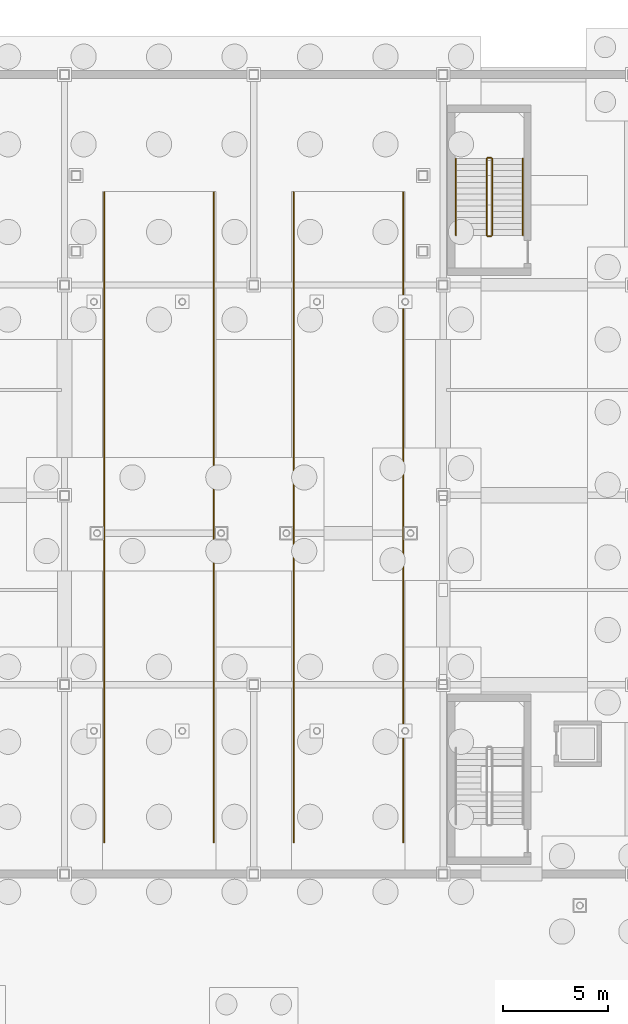
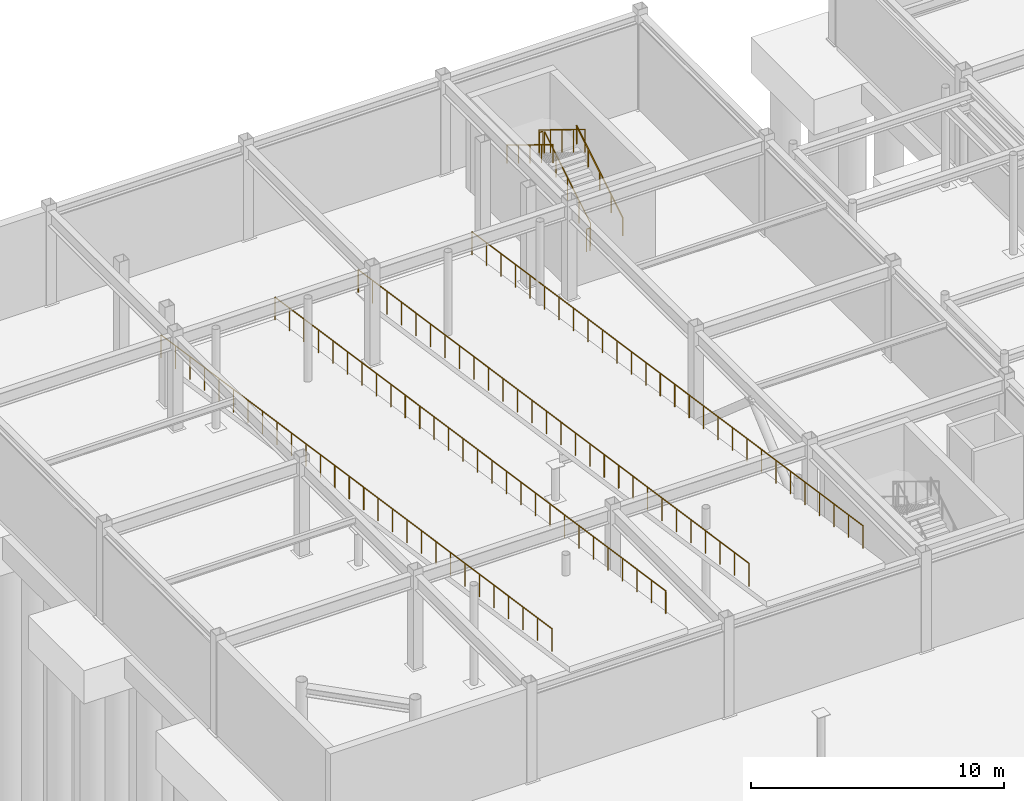
# One storey, part 65 of 74: 10 railings.
"""IFC4 building model written with IfcOpenShell, lengths in metres."""

from ifc_helpers import new_model, si_unit, direction, frame, origin, origin_2d, place, context, subcontext, project, spatial, circle, extrude, material, type_object, element, save


model = new_model("IFC4")

# Units and contexts
model_context = context("Model", 3, precision=1e-05, world=origin(), true_north=direction((0.0, 1.0)))
body_context = subcontext(model_context, "Body", "Model", "MODEL_VIEW")
ifc_project = project(units=[si_unit("LENGTHUNIT", "METRE"), si_unit("AREAUNIT", "SQUARE_METRE"), si_unit("VOLUMEUNIT", "CUBIC_METRE"), si_unit("PLANEANGLEUNIT", "RADIAN"), si_unit("MASSUNIT", "GRAM", prefix="KILO")], contexts=[model_context])

# Site, building, storey
site_placement = place(None, origin())
site = spatial("IfcSite", under=ifc_project, at=site_placement, CompositionType="ELEMENT")
building_placement = place(site_placement, origin())
building = spatial("IfcBuilding", under=site, at=building_placement, Name="Suzunagisa Mobility Hub", CompositionType="ELEMENT")
storey_placement = place(building_placement, frame((0.0, 0.0, -4.800048828125)))
storey = spatial("IfcBuildingStorey", under=building, at=storey_placement, Name="B1", CompositionType="ELEMENT", Elevation=-4.800048828125)

# Railings
ifc_material = material(Name="Stainless Steel SUS304", Category="metal")
railing_type_1 = type_object("IfcRailingType", Name="Interior Well Guardrail IGR-01", PredefinedType="GUARDRAIL", material=ifc_material)
railing_1_placement = place(storey_placement, frame((29.330078125, 110.360107421875, 0.17138671875)))
element("IfcRailing", 1, at=railing_1_placement, inside=storey, type_object=railing_type_1, Name="B1 ST-06 stair guard 1", PredefinedType="GUARDRAIL", context=body_context, shape_type="SweptSolid", body=[
    extrude(circle(Radius=0.02392578125, at=origin_2d()), frame((0.0, 0.0, 1.09619140625), z_axis=(0.0, 0.852824790078, 0.522197163366), x_axis=(-1.0, 0.0, 0.0)), (0.0, 0.0, 1.0), 4.26806640625),
    extrude(circle(Radius=0.02099609375, at=origin_2d()), origin(), (0.0, 0.0, 1.0), 1.072021484375),
    extrude(circle(Radius=0.02099609375, at=origin_2d()), frame((0.0, 0.909912109375, 0.55712890625)), (0.0, 0.0, 1.0), 1.072021484375),
    extrude(circle(Radius=0.02099609375, at=origin_2d()), frame((0.0, 1.81982421875, 1.1142578125)), (0.0, 0.0, 1.0), 1.072021484375),
    extrude(circle(Radius=0.02099609375, at=origin_2d()), frame((0.0, 2.72998046875, 1.671630859375)), (0.0, 0.0, 1.0), 1.072021484375),
    extrude(circle(Radius=0.02099609375, at=origin_2d()), frame((0.0, 3.639892578125, 2.228759765625)), (0.0, 0.0, 1.0), 1.072021484375),
])
railing_2_placement = place(storey_placement, frame((29.280029296875, 114.050048828125, 2.400146484375)))
element("IfcRailing", 2, at=railing_2_placement, inside=storey, type_object=railing_type_1, Name="B1 ST-06 stair guard 2", PredefinedType="GUARDRAIL", context=body_context, shape_type="SweptSolid", body=[
    extrude(circle(Radius=0.02392578125, at=origin_2d()), frame((0.0, 0.0, 1.09619140625), z_axis=(-1.0, 0.0, 0.0), x_axis=(0.0, -1.0, 0.0)), (0.0, 0.0, 1.0), 0.159912109375),
    extrude(circle(Radius=0.02099609375, at=origin_2d()), origin(), (0.0, 0.0, 1.0), 1.072021484375),
    extrude(circle(Radius=0.02099609375, at=origin_2d()), frame((-0.159912109375, 0.0, 0.0)), (0.0, 0.0, 1.0), 1.072021484375),
])
railing_3_placement = place(storey_placement, frame((29.070068359375, 114.0, 2.571533203125)))
element("IfcRailing", 3, at=railing_3_placement, inside=storey, type_object=railing_type_1, Name="B1 ST-06 stair guard 3", PredefinedType="GUARDRAIL", context=body_context, shape_type="SweptSolid", body=[
    extrude(circle(Radius=0.02392578125, at=origin_2d()), frame((0.0, 0.0, 1.09619140625), z_axis=(0.0, -0.852850264322, 0.5221555579), x_axis=(1.0, 0.0, 0.0)), (0.0, 0.0, 1.0), 4.267822265625),
    extrude(circle(Radius=0.02099609375, at=origin_2d()), origin(), (0.0, 0.0, 1.0), 1.072021484375),
    extrude(circle(Radius=0.02099609375, at=origin_2d()), frame((0.0, -0.909912109375, 0.55712890625)), (0.0, 0.0, 1.0), 1.072021484375),
    extrude(circle(Radius=0.02099609375, at=origin_2d()), frame((0.0, -1.81982421875, 1.1142578125)), (0.0, 0.0, 1.0), 1.072021484375),
    extrude(circle(Radius=0.02099609375, at=origin_2d()), frame((0.0, -2.72998046875, 1.67138671875)), (0.0, 0.0, 1.0), 1.072021484375),
    extrude(circle(Radius=0.02099609375, at=origin_2d()), frame((0.0, -3.639892578125, 2.228515625)), (0.0, 0.0, 1.0), 1.072021484375),
])
railing_4_placement = place(storey_placement, frame((29.280029296875, 110.31005859375, 0.0)))
element("IfcRailing", 4, at=railing_4_placement, inside=storey, type_object=railing_type_1, Name="B1 ST-06 stair guard 4", PredefinedType="GUARDRAIL", context=body_context, shape_type="SweptSolid", body=[
    extrude(circle(Radius=0.02392578125, at=origin_2d()), frame((0.0, 0.0, 1.09619140625), z_axis=(-1.0, 0.0, 0.0), x_axis=(0.0, -1.0, 0.0)), (0.0, 0.0, 1.0), 0.159912109375),
    extrude(circle(Radius=0.02099609375, at=origin_2d()), origin(), (0.0, 0.0, 1.0), 1.072021484375),
    extrude(circle(Radius=0.02099609375, at=origin_2d()), frame((-0.159912109375, 0.0, 0.0)), (0.0, 0.0, 1.0), 1.072021484375),
])
railing_5_placement = place(storey_placement, frame((10.89990234375, 112.39990234375, 0.010009765625)))
element("IfcRailing", 5, at=railing_5_placement, inside=storey, type_object=railing_type_1, Name="B1 Grade Vehicle Ramp Side Guardrail RG-11", PredefinedType="GUARDRAIL", context=body_context, shape_type="SweptSolid", body=[
    extrude(circle(Radius=0.02392578125, at=origin_2d()), frame((0.0, 0.0, 1.09619140625), z_axis=(0.0, -0.989285478309, 0.14599398072), x_axis=(1.0, 0.0, 0.0)), (0.0, 0.0, 1.0), 31.234619140625),
    extrude(circle(Radius=0.02099609375, at=origin_2d()), origin(), (0.0, 0.0, 1.0), 1.072021484375),
    extrude(circle(Radius=0.02099609375, at=origin_2d()), frame((0.0, -1.14453125, 0.1689453125)), (0.0, 0.0, 1.0), 1.072021484375),
    extrude(circle(Radius=0.02099609375, at=origin_2d()), frame((0.0, -2.288818359375, 0.337890625)), (0.0, 0.0, 1.0), 1.072021484375),
    extrude(circle(Radius=0.02099609375, at=origin_2d()), frame((0.0, -3.433349609375, 0.506591796875)), (0.0, 0.0, 1.0), 1.072021484375),
    extrude(circle(Radius=0.02099609375, at=origin_2d()), frame((0.0, -4.577880859375, 0.675537109375)), (0.0, 0.0, 1.0), 1.072021484375),
    extrude(circle(Radius=0.02099609375, at=origin_2d()), frame((0.0, -5.72216796875, 0.844482421875)), (0.0, 0.0, 1.0), 1.072021484375),
    extrude(circle(Radius=0.02099609375, at=origin_2d()), frame((0.0, -6.86669921875, 1.013427734375)), (0.0, 0.0, 1.0), 1.072021484375),
    extrude(circle(Radius=0.02099609375, at=origin_2d()), frame((0.0, -8.010986328125, 1.18212890625)), (0.0, 0.0, 1.0), 1.072021484375),
    extrude(circle(Radius=0.02099609375, at=origin_2d()), frame((0.0, -9.155517578125, 1.35107421875)), (0.0, 0.0, 1.0), 1.072021484375),
    extrude(circle(Radius=0.02099609375, at=origin_2d()), frame((0.0, -10.300048828125, 1.52001953125)), (0.0, 0.0, 1.0), 1.072021484375),
    extrude(circle(Radius=0.02099609375, at=origin_2d()), frame((0.0, -11.4443359375, 1.68896484375)), (0.0, 0.0, 1.0), 1.072021484375),
    extrude(circle(Radius=0.02099609375, at=origin_2d()), frame((0.0, -12.5888671875, 1.85791015625)), (0.0, 0.0, 1.0), 1.072021484375),
    extrude(circle(Radius=0.02099609375, at=origin_2d()), frame((0.0, -13.7333984375, 2.026611328125)), (0.0, 0.0, 1.0), 1.072021484375),
    extrude(circle(Radius=0.02099609375, at=origin_2d()), frame((0.0, -14.877685546875, 2.195556640625)), (0.0, 0.0, 1.0), 1.072021484375),
    extrude(circle(Radius=0.02099609375, at=origin_2d()), frame((0.0, -16.022216796875, 2.364501953125)), (0.0, 0.0, 1.0), 1.072021484375),
    extrude(circle(Radius=0.02099609375, at=origin_2d()), frame((0.0, -17.16650390625, 2.533447265625)), (0.0, 0.0, 1.0), 1.072021484375),
    extrude(circle(Radius=0.02099609375, at=origin_2d()), frame((0.0, -18.31103515625, 2.7021484375)), (0.0, 0.0, 1.0), 1.072021484375),
    extrude(circle(Radius=0.02099609375, at=origin_2d()), frame((0.0, -19.45556640625, 2.87109375)), (0.0, 0.0, 1.0), 1.072021484375),
    extrude(circle(Radius=0.02099609375, at=origin_2d()), frame((0.0, -20.599853515625, 3.0400390625)), (0.0, 0.0, 1.0), 1.072021484375),
    extrude(circle(Radius=0.02099609375, at=origin_2d()), frame((0.0, -21.744384765625, 3.208984375)), (0.0, 0.0, 1.0), 1.072021484375),
    extrude(circle(Radius=0.02099609375, at=origin_2d()), frame((0.0, -22.888916015625, 3.3779296875)), (0.0, 0.0, 1.0), 1.072021484375),
    extrude(circle(Radius=0.02099609375, at=origin_2d()), frame((0.0, -24.033203125, 3.546630859375)), (0.0, 0.0, 1.0), 1.072021484375),
    extrude(circle(Radius=0.02099609375, at=origin_2d()), frame((0.0, -25.177734375, 3.715576171875)), (0.0, 0.0, 1.0), 1.072021484375),
    extrude(circle(Radius=0.02099609375, at=origin_2d()), frame((0.0, -26.322021484375, 3.884521484375)), (0.0, 0.0, 1.0), 1.072021484375),
    extrude(circle(Radius=0.02099609375, at=origin_2d()), frame((0.0, -27.466552734375, 4.053466796875)), (0.0, 0.0, 1.0), 1.072021484375),
    extrude(circle(Radius=0.02099609375, at=origin_2d()), frame((0.0, -28.611083984375, 4.22216796875)), (0.0, 0.0, 1.0), 1.072021484375),
    extrude(circle(Radius=0.02099609375, at=origin_2d()), frame((0.0, -29.75537109375, 4.39111328125)), (0.0, 0.0, 1.0), 1.072021484375),
    extrude(circle(Radius=0.02099609375, at=origin_2d()), frame((0.0, -30.89990234375, 4.56005859375)), (0.0, 0.0, 1.0), 1.072021484375),
])
railing_6_placement = place(storey_placement, frame((16.10009765625, 112.39990234375, 0.010009765625)))
element("IfcRailing", 6, at=railing_6_placement, inside=storey, type_object=railing_type_1, Name="B1 Grade Vehicle Ramp Side Guardrail RG-12", PredefinedType="GUARDRAIL", context=body_context, shape_type="SweptSolid", body=[
    extrude(circle(Radius=0.02392578125, at=origin_2d()), frame((0.0, 0.0, 1.09619140625), z_axis=(0.0, -0.989285478309, 0.14599398072), x_axis=(1.0, 0.0, 0.0)), (0.0, 0.0, 1.0), 31.234619140625),
    extrude(circle(Radius=0.02099609375, at=origin_2d()), origin(), (0.0, 0.0, 1.0), 1.072021484375),
    extrude(circle(Radius=0.02099609375, at=origin_2d()), frame((0.0, -1.14453125, 0.1689453125)), (0.0, 0.0, 1.0), 1.072021484375),
    extrude(circle(Radius=0.02099609375, at=origin_2d()), frame((0.0, -2.288818359375, 0.337890625)), (0.0, 0.0, 1.0), 1.072021484375),
    extrude(circle(Radius=0.02099609375, at=origin_2d()), frame((0.0, -3.433349609375, 0.506591796875)), (0.0, 0.0, 1.0), 1.072021484375),
    extrude(circle(Radius=0.02099609375, at=origin_2d()), frame((0.0, -4.577880859375, 0.675537109375)), (0.0, 0.0, 1.0), 1.072021484375),
    extrude(circle(Radius=0.02099609375, at=origin_2d()), frame((0.0, -5.72216796875, 0.844482421875)), (0.0, 0.0, 1.0), 1.072021484375),
    extrude(circle(Radius=0.02099609375, at=origin_2d()), frame((0.0, -6.86669921875, 1.013427734375)), (0.0, 0.0, 1.0), 1.072021484375),
    extrude(circle(Radius=0.02099609375, at=origin_2d()), frame((0.0, -8.010986328125, 1.18212890625)), (0.0, 0.0, 1.0), 1.072021484375),
    extrude(circle(Radius=0.02099609375, at=origin_2d()), frame((0.0, -9.155517578125, 1.35107421875)), (0.0, 0.0, 1.0), 1.072021484375),
    extrude(circle(Radius=0.02099609375, at=origin_2d()), frame((0.0, -10.300048828125, 1.52001953125)), (0.0, 0.0, 1.0), 1.072021484375),
    extrude(circle(Radius=0.02099609375, at=origin_2d()), frame((0.0, -11.4443359375, 1.68896484375)), (0.0, 0.0, 1.0), 1.072021484375),
    extrude(circle(Radius=0.02099609375, at=origin_2d()), frame((0.0, -12.5888671875, 1.85791015625)), (0.0, 0.0, 1.0), 1.072021484375),
    extrude(circle(Radius=0.02099609375, at=origin_2d()), frame((0.0, -13.7333984375, 2.026611328125)), (0.0, 0.0, 1.0), 1.072021484375),
    extrude(circle(Radius=0.02099609375, at=origin_2d()), frame((0.0, -14.877685546875, 2.195556640625)), (0.0, 0.0, 1.0), 1.072021484375),
    extrude(circle(Radius=0.02099609375, at=origin_2d()), frame((0.0, -16.022216796875, 2.364501953125)), (0.0, 0.0, 1.0), 1.072021484375),
    extrude(circle(Radius=0.02099609375, at=origin_2d()), frame((0.0, -17.16650390625, 2.533447265625)), (0.0, 0.0, 1.0), 1.072021484375),
    extrude(circle(Radius=0.02099609375, at=origin_2d()), frame((0.0, -18.31103515625, 2.7021484375)), (0.0, 0.0, 1.0), 1.072021484375),
    extrude(circle(Radius=0.02099609375, at=origin_2d()), frame((0.0, -19.45556640625, 2.87109375)), (0.0, 0.0, 1.0), 1.072021484375),
    extrude(circle(Radius=0.02099609375, at=origin_2d()), frame((0.0, -20.599853515625, 3.0400390625)), (0.0, 0.0, 1.0), 1.072021484375),
    extrude(circle(Radius=0.02099609375, at=origin_2d()), frame((0.0, -21.744384765625, 3.208984375)), (0.0, 0.0, 1.0), 1.072021484375),
    extrude(circle(Radius=0.02099609375, at=origin_2d()), frame((0.0, -22.888916015625, 3.3779296875)), (0.0, 0.0, 1.0), 1.072021484375),
    extrude(circle(Radius=0.02099609375, at=origin_2d()), frame((0.0, -24.033203125, 3.546630859375)), (0.0, 0.0, 1.0), 1.072021484375),
    extrude(circle(Radius=0.02099609375, at=origin_2d()), frame((0.0, -25.177734375, 3.715576171875)), (0.0, 0.0, 1.0), 1.072021484375),
    extrude(circle(Radius=0.02099609375, at=origin_2d()), frame((0.0, -26.322021484375, 3.884521484375)), (0.0, 0.0, 1.0), 1.072021484375),
    extrude(circle(Radius=0.02099609375, at=origin_2d()), frame((0.0, -27.466552734375, 4.053466796875)), (0.0, 0.0, 1.0), 1.072021484375),
    extrude(circle(Radius=0.02099609375, at=origin_2d()), frame((0.0, -28.611083984375, 4.22216796875)), (0.0, 0.0, 1.0), 1.072021484375),
    extrude(circle(Radius=0.02099609375, at=origin_2d()), frame((0.0, -29.75537109375, 4.39111328125)), (0.0, 0.0, 1.0), 1.072021484375),
    extrude(circle(Radius=0.02099609375, at=origin_2d()), frame((0.0, -30.89990234375, 4.56005859375)), (0.0, 0.0, 1.0), 1.072021484375),
])
railing_7_placement = place(storey_placement, frame((19.89990234375, 112.39990234375, 0.010009765625)))
element("IfcRailing", 7, at=railing_7_placement, inside=storey, type_object=railing_type_1, Name="B1 Grade Vehicle Ramp Side Guardrail RG-14", PredefinedType="GUARDRAIL", context=body_context, shape_type="SweptSolid", body=[
    extrude(circle(Radius=0.02392578125, at=origin_2d()), frame((0.0, 0.0, 1.09619140625), z_axis=(0.0, -0.989285478309, 0.14599398072), x_axis=(1.0, 0.0, 0.0)), (0.0, 0.0, 1.0), 31.234619140625),
    extrude(circle(Radius=0.02099609375, at=origin_2d()), origin(), (0.0, 0.0, 1.0), 1.072021484375),
    extrude(circle(Radius=0.02099609375, at=origin_2d()), frame((0.0, -1.14453125, 0.1689453125)), (0.0, 0.0, 1.0), 1.072021484375),
    extrude(circle(Radius=0.02099609375, at=origin_2d()), frame((0.0, -2.288818359375, 0.337890625)), (0.0, 0.0, 1.0), 1.072021484375),
    extrude(circle(Radius=0.02099609375, at=origin_2d()), frame((0.0, -3.433349609375, 0.506591796875)), (0.0, 0.0, 1.0), 1.072021484375),
    extrude(circle(Radius=0.02099609375, at=origin_2d()), frame((0.0, -4.577880859375, 0.675537109375)), (0.0, 0.0, 1.0), 1.072021484375),
    extrude(circle(Radius=0.02099609375, at=origin_2d()), frame((0.0, -5.72216796875, 0.844482421875)), (0.0, 0.0, 1.0), 1.072021484375),
    extrude(circle(Radius=0.02099609375, at=origin_2d()), frame((0.0, -6.86669921875, 1.013427734375)), (0.0, 0.0, 1.0), 1.072021484375),
    extrude(circle(Radius=0.02099609375, at=origin_2d()), frame((0.0, -8.010986328125, 1.18212890625)), (0.0, 0.0, 1.0), 1.072021484375),
    extrude(circle(Radius=0.02099609375, at=origin_2d()), frame((0.0, -9.155517578125, 1.35107421875)), (0.0, 0.0, 1.0), 1.072021484375),
    extrude(circle(Radius=0.02099609375, at=origin_2d()), frame((0.0, -10.300048828125, 1.52001953125)), (0.0, 0.0, 1.0), 1.072021484375),
    extrude(circle(Radius=0.02099609375, at=origin_2d()), frame((0.0, -11.4443359375, 1.68896484375)), (0.0, 0.0, 1.0), 1.072021484375),
    extrude(circle(Radius=0.02099609375, at=origin_2d()), frame((0.0, -12.5888671875, 1.85791015625)), (0.0, 0.0, 1.0), 1.072021484375),
    extrude(circle(Radius=0.02099609375, at=origin_2d()), frame((0.0, -13.7333984375, 2.026611328125)), (0.0, 0.0, 1.0), 1.072021484375),
    extrude(circle(Radius=0.02099609375, at=origin_2d()), frame((0.0, -14.877685546875, 2.195556640625)), (0.0, 0.0, 1.0), 1.072021484375),
    extrude(circle(Radius=0.02099609375, at=origin_2d()), frame((0.0, -16.022216796875, 2.364501953125)), (0.0, 0.0, 1.0), 1.072021484375),
    extrude(circle(Radius=0.02099609375, at=origin_2d()), frame((0.0, -17.16650390625, 2.533447265625)), (0.0, 0.0, 1.0), 1.072021484375),
    extrude(circle(Radius=0.02099609375, at=origin_2d()), frame((0.0, -18.31103515625, 2.7021484375)), (0.0, 0.0, 1.0), 1.072021484375),
    extrude(circle(Radius=0.02099609375, at=origin_2d()), frame((0.0, -19.45556640625, 2.87109375)), (0.0, 0.0, 1.0), 1.072021484375),
    extrude(circle(Radius=0.02099609375, at=origin_2d()), frame((0.0, -20.599853515625, 3.0400390625)), (0.0, 0.0, 1.0), 1.072021484375),
    extrude(circle(Radius=0.02099609375, at=origin_2d()), frame((0.0, -21.744384765625, 3.208984375)), (0.0, 0.0, 1.0), 1.072021484375),
    extrude(circle(Radius=0.02099609375, at=origin_2d()), frame((0.0, -22.888916015625, 3.3779296875)), (0.0, 0.0, 1.0), 1.072021484375),
    extrude(circle(Radius=0.02099609375, at=origin_2d()), frame((0.0, -24.033203125, 3.546630859375)), (0.0, 0.0, 1.0), 1.072021484375),
    extrude(circle(Radius=0.02099609375, at=origin_2d()), frame((0.0, -25.177734375, 3.715576171875)), (0.0, 0.0, 1.0), 1.072021484375),
    extrude(circle(Radius=0.02099609375, at=origin_2d()), frame((0.0, -26.322021484375, 3.884521484375)), (0.0, 0.0, 1.0), 1.072021484375),
    extrude(circle(Radius=0.02099609375, at=origin_2d()), frame((0.0, -27.466552734375, 4.053466796875)), (0.0, 0.0, 1.0), 1.072021484375),
    extrude(circle(Radius=0.02099609375, at=origin_2d()), frame((0.0, -28.611083984375, 4.22216796875)), (0.0, 0.0, 1.0), 1.072021484375),
    extrude(circle(Radius=0.02099609375, at=origin_2d()), frame((0.0, -29.75537109375, 4.39111328125)), (0.0, 0.0, 1.0), 1.072021484375),
    extrude(circle(Radius=0.02099609375, at=origin_2d()), frame((0.0, -30.89990234375, 4.56005859375)), (0.0, 0.0, 1.0), 1.072021484375),
])
railing_8_placement = place(storey_placement, frame((25.10009765625, 112.39990234375, 0.010009765625)))
element("IfcRailing", 8, at=railing_8_placement, inside=storey, type_object=railing_type_1, Name="B1 Grade Vehicle Ramp Side Guardrail RG-15", PredefinedType="GUARDRAIL", context=body_context, shape_type="SweptSolid", body=[
    extrude(circle(Radius=0.02392578125, at=origin_2d()), frame((0.0, 0.0, 1.09619140625), z_axis=(0.0, -0.989285478309, 0.14599398072), x_axis=(1.0, 0.0, 0.0)), (0.0, 0.0, 1.0), 31.234619140625),
    extrude(circle(Radius=0.02099609375, at=origin_2d()), origin(), (0.0, 0.0, 1.0), 1.072021484375),
    extrude(circle(Radius=0.02099609375, at=origin_2d()), frame((0.0, -1.14453125, 0.1689453125)), (0.0, 0.0, 1.0), 1.072021484375),
    extrude(circle(Radius=0.02099609375, at=origin_2d()), frame((0.0, -2.288818359375, 0.337890625)), (0.0, 0.0, 1.0), 1.072021484375),
    extrude(circle(Radius=0.02099609375, at=origin_2d()), frame((0.0, -3.433349609375, 0.506591796875)), (0.0, 0.0, 1.0), 1.072021484375),
    extrude(circle(Radius=0.02099609375, at=origin_2d()), frame((0.0, -4.577880859375, 0.675537109375)), (0.0, 0.0, 1.0), 1.072021484375),
    extrude(circle(Radius=0.02099609375, at=origin_2d()), frame((0.0, -5.72216796875, 0.844482421875)), (0.0, 0.0, 1.0), 1.072021484375),
    extrude(circle(Radius=0.02099609375, at=origin_2d()), frame((0.0, -6.86669921875, 1.013427734375)), (0.0, 0.0, 1.0), 1.072021484375),
    extrude(circle(Radius=0.02099609375, at=origin_2d()), frame((0.0, -8.010986328125, 1.18212890625)), (0.0, 0.0, 1.0), 1.072021484375),
    extrude(circle(Radius=0.02099609375, at=origin_2d()), frame((0.0, -9.155517578125, 1.35107421875)), (0.0, 0.0, 1.0), 1.072021484375),
    extrude(circle(Radius=0.02099609375, at=origin_2d()), frame((0.0, -10.300048828125, 1.52001953125)), (0.0, 0.0, 1.0), 1.072021484375),
    extrude(circle(Radius=0.02099609375, at=origin_2d()), frame((0.0, -11.4443359375, 1.68896484375)), (0.0, 0.0, 1.0), 1.072021484375),
    extrude(circle(Radius=0.02099609375, at=origin_2d()), frame((0.0, -12.5888671875, 1.85791015625)), (0.0, 0.0, 1.0), 1.072021484375),
    extrude(circle(Radius=0.02099609375, at=origin_2d()), frame((0.0, -13.7333984375, 2.026611328125)), (0.0, 0.0, 1.0), 1.072021484375),
    extrude(circle(Radius=0.02099609375, at=origin_2d()), frame((0.0, -14.877685546875, 2.195556640625)), (0.0, 0.0, 1.0), 1.072021484375),
    extrude(circle(Radius=0.02099609375, at=origin_2d()), frame((0.0, -16.022216796875, 2.364501953125)), (0.0, 0.0, 1.0), 1.072021484375),
    extrude(circle(Radius=0.02099609375, at=origin_2d()), frame((0.0, -17.16650390625, 2.533447265625)), (0.0, 0.0, 1.0), 1.072021484375),
    extrude(circle(Radius=0.02099609375, at=origin_2d()), frame((0.0, -18.31103515625, 2.7021484375)), (0.0, 0.0, 1.0), 1.072021484375),
    extrude(circle(Radius=0.02099609375, at=origin_2d()), frame((0.0, -19.45556640625, 2.87109375)), (0.0, 0.0, 1.0), 1.072021484375),
    extrude(circle(Radius=0.02099609375, at=origin_2d()), frame((0.0, -20.599853515625, 3.0400390625)), (0.0, 0.0, 1.0), 1.072021484375),
    extrude(circle(Radius=0.02099609375, at=origin_2d()), frame((0.0, -21.744384765625, 3.208984375)), (0.0, 0.0, 1.0), 1.072021484375),
    extrude(circle(Radius=0.02099609375, at=origin_2d()), frame((0.0, -22.888916015625, 3.3779296875)), (0.0, 0.0, 1.0), 1.072021484375),
    extrude(circle(Radius=0.02099609375, at=origin_2d()), frame((0.0, -24.033203125, 3.546630859375)), (0.0, 0.0, 1.0), 1.072021484375),
    extrude(circle(Radius=0.02099609375, at=origin_2d()), frame((0.0, -25.177734375, 3.715576171875)), (0.0, 0.0, 1.0), 1.072021484375),
    extrude(circle(Radius=0.02099609375, at=origin_2d()), frame((0.0, -26.322021484375, 3.884521484375)), (0.0, 0.0, 1.0), 1.072021484375),
    extrude(circle(Radius=0.02099609375, at=origin_2d()), frame((0.0, -27.466552734375, 4.053466796875)), (0.0, 0.0, 1.0), 1.072021484375),
    extrude(circle(Radius=0.02099609375, at=origin_2d()), frame((0.0, -28.611083984375, 4.22216796875)), (0.0, 0.0, 1.0), 1.072021484375),
    extrude(circle(Radius=0.02099609375, at=origin_2d()), frame((0.0, -29.75537109375, 4.39111328125)), (0.0, 0.0, 1.0), 1.072021484375),
    extrude(circle(Radius=0.02099609375, at=origin_2d()), frame((0.0, -30.89990234375, 4.56005859375)), (0.0, 0.0, 1.0), 1.072021484375),
])
railing_type_2 = type_object("IfcRailingType", Name="Tubular Stainless Stair Handrail IHR-01", PredefinedType="HANDRAIL", material=ifc_material)
railing_9_placement = place(storey_placement, frame((30.7900390625, 110.360107421875, 0.17138671875)))
element("IfcRailing", 9, at=railing_9_placement, inside=storey, type_object=railing_type_2, Name="B1 ST-06 stair handrail 1", PredefinedType="HANDRAIL", context=body_context, shape_type="SweptSolid", body=[
    extrude(circle(Radius=0.02392578125, at=origin_2d()), frame((0.0, 0.0, 0.8759765625), z_axis=(0.0, 0.852824790078, 0.522197163366), x_axis=(-1.0, 0.0, 0.0)), (0.0, 0.0, 1.0), 4.26806640625),
    extrude(circle(Radius=0.02099609375, at=origin_2d()), origin(), (0.0, 0.0, 1.0), 0.851806640625),
    extrude(circle(Radius=0.02099609375, at=origin_2d()), frame((0.0, 0.909912109375, 0.55712890625)), (0.0, 0.0, 1.0), 0.851806640625),
    extrude(circle(Radius=0.02099609375, at=origin_2d()), frame((0.0, 1.81982421875, 1.1142578125)), (0.0, 0.0, 1.0), 0.851806640625),
    extrude(circle(Radius=0.02099609375, at=origin_2d()), frame((0.0, 2.72998046875, 1.671630859375)), (0.0, 0.0, 1.0), 0.851806640625),
    extrude(circle(Radius=0.02099609375, at=origin_2d()), frame((0.0, 3.639892578125, 2.228759765625)), (0.0, 0.0, 1.0), 0.851806640625),
])
railing_10_placement = place(storey_placement, frame((27.610107421875, 114.0, 2.571533203125)))
element("IfcRailing", 10, at=railing_10_placement, inside=storey, type_object=railing_type_2, Name="B1 ST-06 stair handrail 2", PredefinedType="HANDRAIL", context=body_context, shape_type="SweptSolid", body=[
    extrude(circle(Radius=0.02392578125, at=origin_2d()), frame((0.0, 0.0, 0.8759765625), z_axis=(0.0, -0.852850264322, 0.5221555579), x_axis=(1.0, 0.0, 0.0)), (0.0, 0.0, 1.0), 4.267822265625),
    extrude(circle(Radius=0.02099609375, at=origin_2d()), origin(), (0.0, 0.0, 1.0), 0.851806640625),
    extrude(circle(Radius=0.02099609375, at=origin_2d()), frame((0.0, -0.909912109375, 0.55712890625)), (0.0, 0.0, 1.0), 0.851806640625),
    extrude(circle(Radius=0.02099609375, at=origin_2d()), frame((0.0, -1.81982421875, 1.1142578125)), (0.0, 0.0, 1.0), 0.851806640625),
    extrude(circle(Radius=0.02099609375, at=origin_2d()), frame((0.0, -2.72998046875, 1.67138671875)), (0.0, 0.0, 1.0), 0.851806640625),
    extrude(circle(Radius=0.02099609375, at=origin_2d()), frame((0.0, -3.639892578125, 2.228515625)), (0.0, 0.0, 1.0), 0.851806640625),
])

save(model, "model.ifc")
